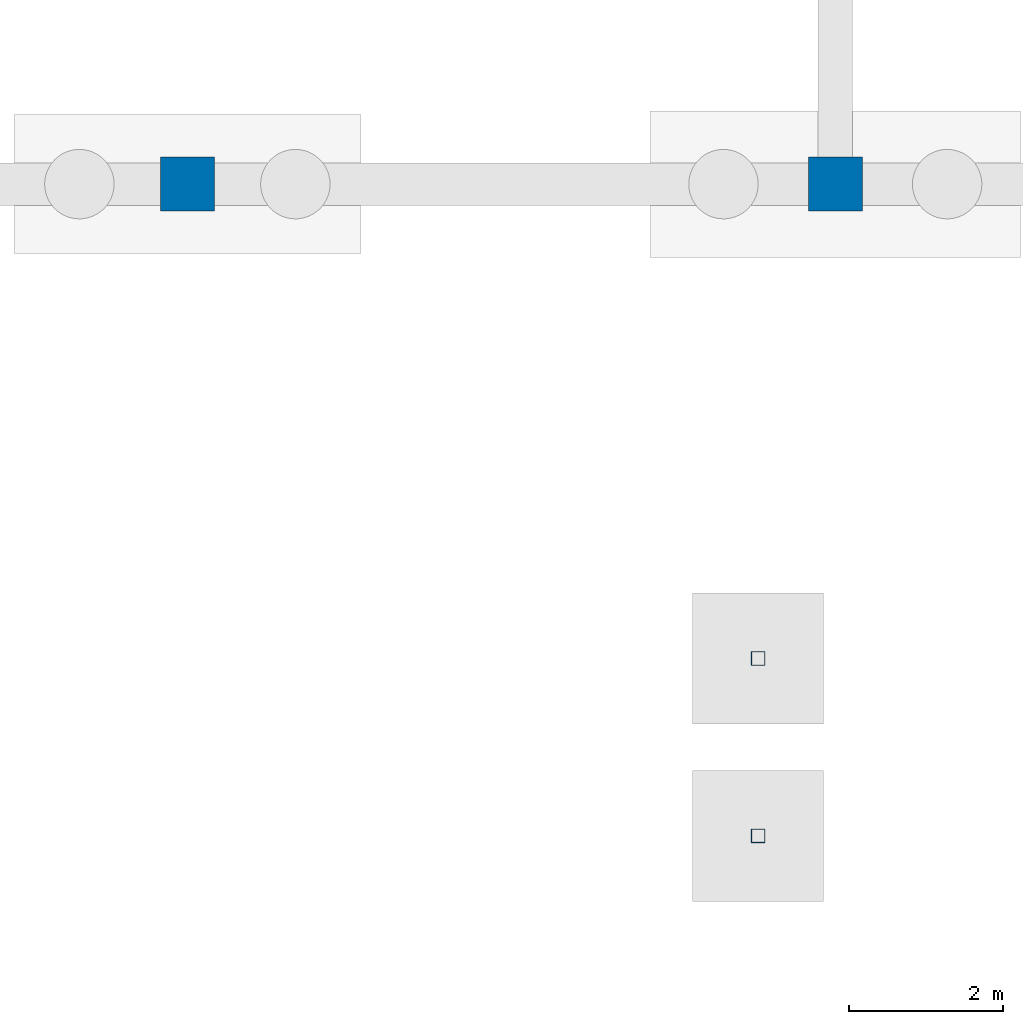
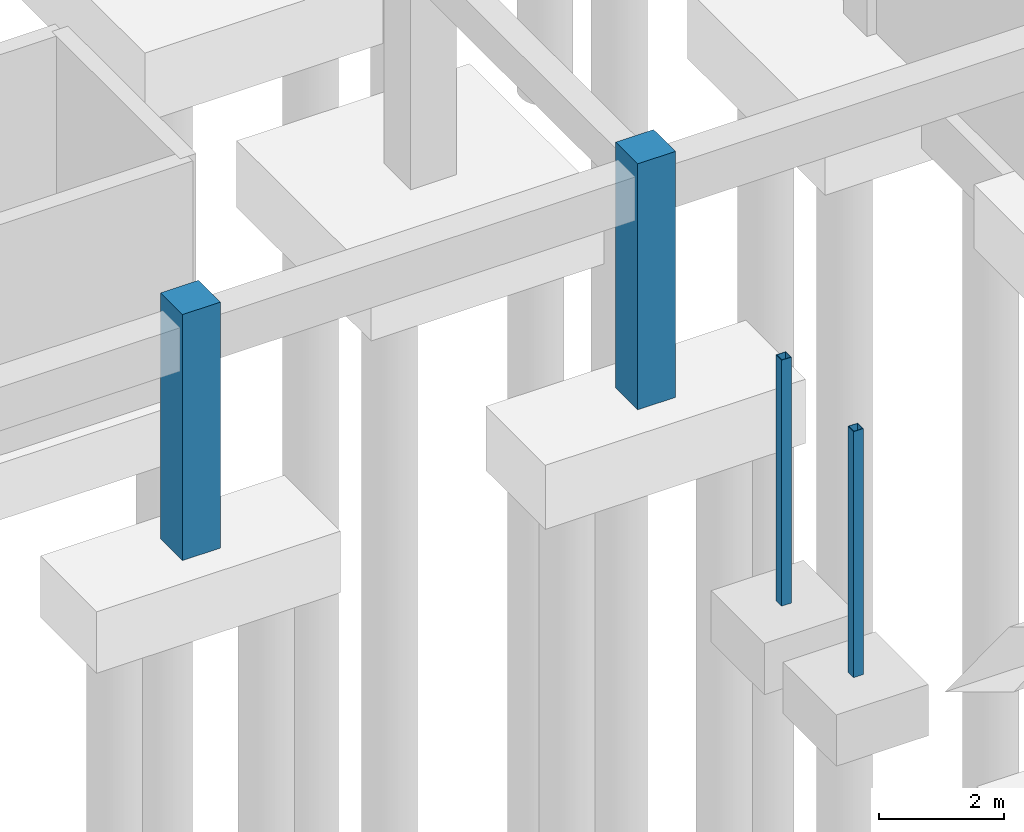
# One storey, part 25 of 80: 4 columns.
"""IFC4 building model written with IfcOpenShell, lengths in metres."""

from ifc_helpers import new_model, si_unit, direction, frame, origin, origin_2d, place, context, subcontext, project, spatial, rectangle, hollow_rectangle, extrude, material, material_profile, profile_set, type_object, element, save


model = new_model("IFC4")

# Units and contexts
model_context = context("Model", 3, precision=1e-05, world=origin(), true_north=direction((0.0, 1.0)))
body_context = subcontext(model_context, "Body", "Model", "MODEL_VIEW")
ifc_project = project(units=[si_unit("LENGTHUNIT", "METRE"), si_unit("AREAUNIT", "SQUARE_METRE"), si_unit("VOLUMEUNIT", "CUBIC_METRE"), si_unit("PLANEANGLEUNIT", "RADIAN"), si_unit("MASSUNIT", "GRAM", prefix="KILO")], contexts=[model_context])

# Site, building, storey
site_placement = place(None, origin())
site = spatial("IfcSite", under=ifc_project, at=site_placement, CompositionType="ELEMENT")
building_placement = place(site_placement, origin())
building = spatial("IfcBuilding", under=site, at=building_placement, Name="Malvenik Polytechnic", CompositionType="ELEMENT")
storey_placement = place(building_placement, frame((0.0, 0.0, -4.800048828125)))
storey = spatial("IfcBuildingStorey", under=building, at=storey_placement, Name="B1", CompositionType="ELEMENT", Elevation=-4.800048828125)

# Columns
ifc_material_1 = material(Name="Concrete C40/50", Category="concrete")
ifc_material_profile_1 = material_profile(ifc_material_1, rectangle(XDim=0.699951171875, YDim=0.699951171875, at=origin_2d()), Name="RC COL 700x700")
ifc_profile_set_1 = profile_set([ifc_material_profile_1], Name="Concrete C40/50")
column_type_1 = type_object("IfcColumnType", Name="STR-COL-C-04", PredefinedType="COLUMN", material=ifc_profile_set_1)
for number, where, z_axis, x_axis, name in (
    (1, (16.800048828125, 79.199951171875, 0.0), (0.0, 0.0, 1.0), (1.0, 0.0, 0.0), "Column C-04 B1 (16.8,79.2)"),
    (2, (25.199951171875, 79.199951171875, 0.0), (0.0, 0.0, 1.0), (1.0, 0.0, 0.0), "Column C-04 B1 (25.2,79.2)"),
):
    element("IfcColumn", number, at=place(storey_placement, frame(where, z_axis=z_axis, x_axis=x_axis)), inside=storey, type_object=column_type_1, Name=name, PredefinedType="COLUMN", context=body_context, shape_type="SweptSolid", body=[
        extrude(rectangle(XDim=0.699951171875, YDim=0.699951171875, at=origin_2d()), origin(), (0.0, 0.0, 1.0), 4.800048828125),
    ])
ifc_material_2 = material(Name="Steel S355J2H", Category="steel")
ifc_material_profile_2 = material_profile(ifc_material_2, hollow_rectangle(XDim=0.179931640625, YDim=0.179931640625, WallThickness=0.008056640625, at=origin_2d()), Name="SHS 180x180x8.0")
ifc_profile_set_2 = profile_set([ifc_material_profile_2], Name="Steel S355J2H")
column_type_2 = type_object("IfcColumnType", Name="STR-SCOL-SC-06", PredefinedType="COLUMN", material=ifc_profile_set_2)
for number, where, z_axis, x_axis, name in (
    (3, (24.199951171875, 70.75, 0.0), (0.0, 0.0, 1.0), (1.0, 0.0, 0.0), "Bridge-Ramp Support Column SC-06 B1"),
    (4, (24.199951171875, 73.050048828125, 0.0), (0.0, 0.0, 1.0), (1.0, 0.0, 0.0), "Bridge-Ramp Support Column SC-06 B1"),
):
    element("IfcColumn", number, at=place(storey_placement, frame(where, z_axis=z_axis, x_axis=x_axis)), inside=storey, type_object=column_type_2, Name=name, PredefinedType="COLUMN", context=body_context, shape_type="SweptSolid", body=[
        extrude(hollow_rectangle(XDim=0.179931640625, YDim=0.179931640625, WallThickness=0.008056640625, at=origin_2d()), origin(), (0.0, 0.0, 1.0), 4.800048828125),
    ])

save(model, "model.ifc")
